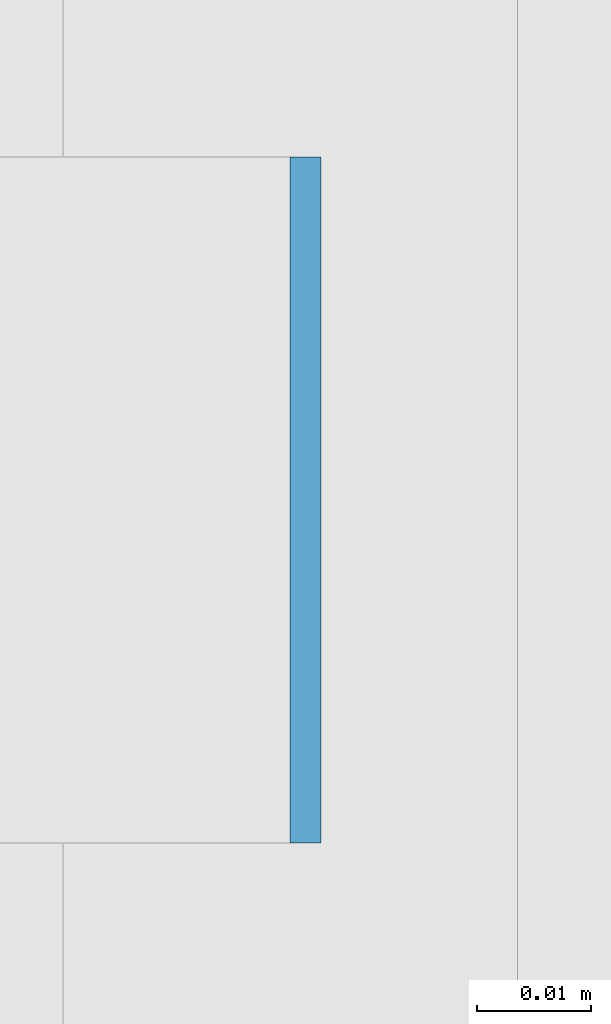
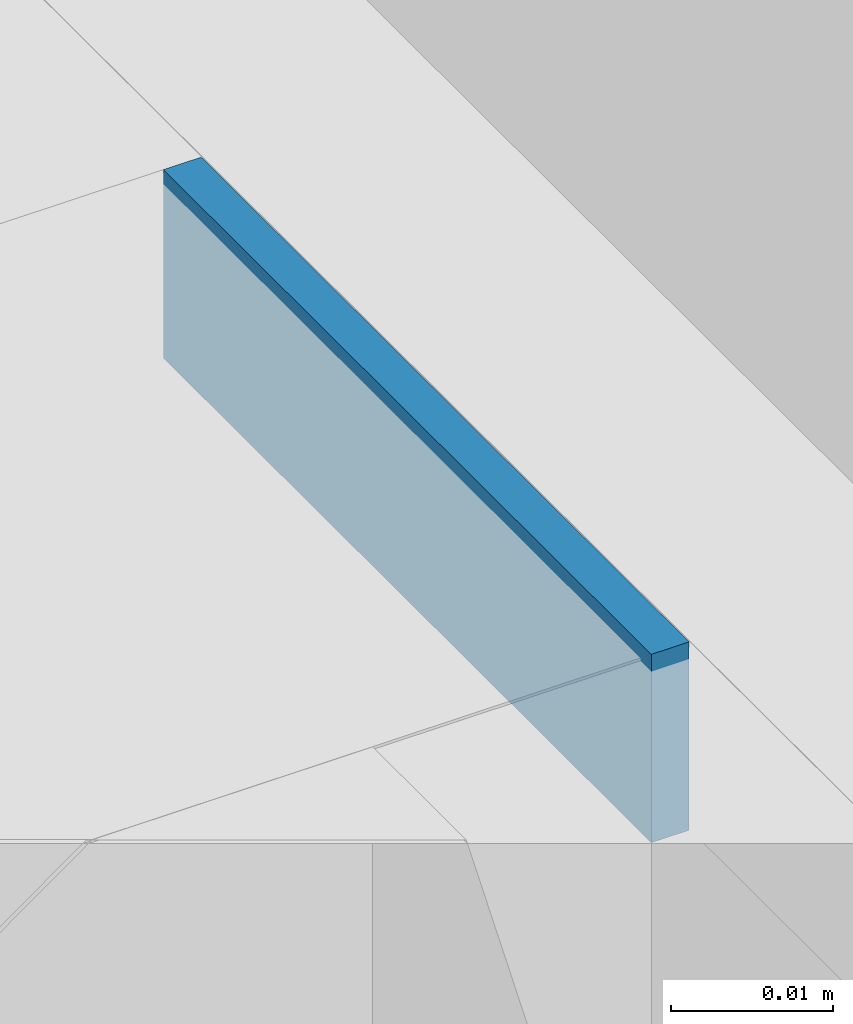
# One storey, part 303 of 646: 1 discrete accessory.
"""IFC4 building model written with IfcOpenShell, lengths in metres."""

import ifcopenshell
import ifcopenshell.guid

model = None  # the IFC model being written
_history = None  # IfcOwnerHistory: only IFC2X3 demands one
_inside = {}  # id of a spatial element -> (the spatial element, [elements in it])
_under = {}  # id of a project, library or spatial element -> (it, [spatial elements below it])
_declared = {}  # id of a project -> (the project, [libraries it declares])
_typed = {}  # id of a type object -> (the type object, [elements of that type])
_made_of = {}  # id of a material, layer set ... -> (it, [elements and type objects made of it])


def new_model(schema):
    """Start an empty IFC model of exactly this schema.

    Asked for "IFC4X3", IfcOpenShell would pick the latest addendum, in which some entities
    have other attributes; the version numbers below select the first issue.
    IFC2X3 requires an IfcOwnerHistory on every rooted entity: one is made here for all.
    """
    global model, _history
    if schema == "IFC4X3":
        model = ifcopenshell.file(schema_version=(4, 3, 0, 0))
    else:
        model = ifcopenshell.file(schema=schema)
    _inside.clear()
    _under.clear()
    _declared.clear()
    _typed.clear()
    _made_of.clear()
    _history = None
    if model.schema == "IFC2X3":
        org = make("IfcOrganization", Name="unknown")
        user = make(
            "IfcPersonAndOrganization",
            ThePerson=make("IfcPerson", FamilyName="unknown"),
            TheOrganization=org,
        )
        app = make(
            "IfcApplication",
            ApplicationDeveloper=org,
            Version="unknown",
            ApplicationFullName="unknown",
            ApplicationIdentifier="unknown",
        )
        _history = make(
            "IfcOwnerHistory",
            OwningUser=user,
            OwningApplication=app,
            ChangeAction="ADDED",
            CreationDate=0,
        )
    return model


def make(cls, **values):
    """One entity of the class cls with the attributes given. An attribute that is None is left unset."""
    return model.create_entity(
        cls, **{name: value for name, value in values.items() if value is not None}
    )


def rooted(cls, **values):
    """An entity with a GlobalId (a new one), such as an element, a storey or a relation."""
    return make(cls, GlobalId=ifcopenshell.guid.new(), OwnerHistory=_history, **values)


def si_unit(unit_type, name, prefix=None):
    """IfcSIUnit, for example si_unit("LENGTHUNIT", "METRE", prefix="MILLI")."""
    return make("IfcSIUnit", UnitType=unit_type, Prefix=prefix, Name=name)


def assignment(units):
    """IfcUnitAssignment: the units of a project."""
    return None if units is None else make("IfcUnitAssignment", Units=units)


def point(xyz):
    """IfcCartesianPoint."""
    return None if xyz is None else make("IfcCartesianPoint", Coordinates=xyz)


def direction(xyz):
    """IfcDirection."""
    return None if xyz is None else make("IfcDirection", DirectionRatios=xyz)


def frame(location, z_axis=None, x_axis=None):
    """IfcAxis2Placement3D, a coordinate frame: its origin and axes. An axis left out is left unset."""
    return make(
        "IfcAxis2Placement3D",
        Location=point(location),
        Axis=direction(z_axis),
        RefDirection=direction(x_axis),
    )


def frame_2d(location, x_axis=None):
    """IfcAxis2Placement2D, a coordinate frame in the plane: its origin and x axis."""
    return make(
        "IfcAxis2Placement2D", Location=point(location), RefDirection=direction(x_axis)
    )


def origin():
    """The frame at (0, 0, 0) with its axes left unset."""
    return frame((0.0, 0.0, 0.0))


def origin_2d():
    """The frame at (0, 0) in the plane with its x axis left unset."""
    return frame_2d((0.0, 0.0))


def place(relative_to, where):
    """IfcLocalPlacement: puts the frame where relative to a parent placement (None: the world)."""
    return make(
        "IfcLocalPlacement", PlacementRelTo=relative_to, RelativePlacement=where
    )


def context(
    kind, dimensions, precision=None, world=None, true_north=None, identifier=None
):
    """IfcGeometricRepresentationContext, for example the 3D "Model" context."""
    return make(
        "IfcGeometricRepresentationContext",
        ContextIdentifier=identifier,
        ContextType=kind,
        CoordinateSpaceDimension=dimensions,
        Precision=precision,
        WorldCoordinateSystem=world,
        TrueNorth=true_north,
    )


def subcontext(parent, identifier, kind, view, scale=None):
    """IfcGeometricRepresentationSubContext, for example "Body" below "Model"."""
    return make(
        "IfcGeometricRepresentationSubContext",
        ContextIdentifier=identifier,
        ContextType=kind,
        ParentContext=parent,
        TargetScale=scale,
        TargetView=view,
    )


def project(units=None, contexts=None):
    """IfcProject with its units and contexts."""
    return rooted(
        "IfcProject",
        Name="project",
        RepresentationContexts=contexts,
        UnitsInContext=assignment(units),
    )


def spatial(cls, under=None, at=None, **own):
    """A site, building, storey or space (cls), placed at a placement, below another one or the project."""
    s = rooted(cls, ObjectPlacement=at, **own)
    if under is not None:
        _under.setdefault(under.id(), (under, []))[1].append(s)
    return s


def profile(cls, at=None, kind="AREA", **sizes):
    """A parametric profile (cls). Its sizes go by their IFC names, for example OverallWidth=200.0."""
    return make(cls, ProfileType=kind, Position=at, **sizes)


def rectangle(**sizes):
    """IfcRectangleProfileDef."""
    return profile("IfcRectangleProfileDef", **sizes)


def extrude(swept, where, along, depth):
    """IfcExtrudedAreaSolid: the profile swept, set in the frame where, extruded along a direction by depth."""
    return make(
        "IfcExtrudedAreaSolid",
        SweptArea=swept,
        Position=where,
        ExtrudedDirection=direction(along),
        Depth=depth,
    )


def shape(context_of_items, identifier, shape_type, items):
    """IfcShapeRepresentation: the items that make up one representation, for example the "Body"."""
    return make(
        "IfcShapeRepresentation",
        ContextOfItems=context_of_items,
        RepresentationIdentifier=identifier,
        RepresentationType=shape_type,
        Items=items,
    )


def material(Name=None, Category=None):
    """IfcMaterial."""
    return make("IfcMaterial", Name=Name, Category=Category)


def made_of(thing, what):
    """Note that an element or type object is made of a material, layer set ...; save() writes the relation."""
    if what is not None:
        _made_of.setdefault(what.id(), (what, []))[1].append(thing)
    return thing


def type_object(cls, material=None, **own):
    """A type object (cls), such as IfcWallType, which elements share."""
    return made_of(rooted(cls, **own), material)


def element(
    cls,
    number,
    at=None,
    inside=None,
    cuts=None,
    type_object=None,
    material=None,
    context=None,
    identifier="Body",
    shape_type=None,
    held_by="IfcProductDefinitionShape",
    body=None,
    shapes=None,
    **own,
):
    """One element of the class cls, such as IfcWall. Its Tag is "e" and its number.

    at: its placement. inside: the storey or other place that contains it. cuts: it is an
    opening in that element (IfcRelVoidsElement). A single representation is given by context,
    identifier, shape_type and body (its items); several are given by shapes. held_by: the class
    of the entity that holds the representations. save() writes the other relations.
    """
    e = rooted(cls, Tag="e%d" % number, ObjectPlacement=at, **own)
    if body is not None:
        shapes = [shape(context, identifier, shape_type, body)]
    if shapes is not None:
        e.Representation = make(held_by, Representations=shapes)
    if inside is not None:
        _inside.setdefault(inside.id(), (inside, []))[1].append(e)
    if cuts is not None:
        rooted(
            "IfcRelVoidsElement", RelatingBuildingElement=cuts, RelatedOpeningElement=e
        )
    if type_object is not None:
        _typed.setdefault(type_object.id(), (type_object, []))[1].append(e)
    return made_of(e, material)


def aggregate(whole, parts):
    """IfcRelAggregates: a whole, such as a stair, and the parts it consists of."""
    return rooted("IfcRelAggregates", RelatingObject=whole, RelatedObjects=parts)


def save(model, path):
    """Write the relations noted so far, then the file.

    IfcRelAggregates (storeys below a building ...), IfcRelContainedInSpatialStructure (elements
    in a storey), IfcRelDefinesByType, IfcRelAssociatesMaterial and IfcRelDeclares: one each for
    every whole, place, type object, material and project.
    """
    for whole, parts in _under.values():
        aggregate(whole, parts)
    for where, things in _inside.values():
        rooted(
            "IfcRelContainedInSpatialStructure",
            RelatedElements=things,
            RelatingStructure=where,
        )
    for kind, things in _typed.values():
        rooted("IfcRelDefinesByType", RelatedObjects=things, RelatingType=kind)
    for what, things in _made_of.values():
        rooted("IfcRelAssociatesMaterial", RelatedObjects=things, RelatingMaterial=what)
    for by, libraries in _declared.values():
        rooted("IfcRelDeclares", RelatingContext=by, RelatedDefinitions=libraries)
    model.write(path)


model = new_model("IFC4")

# Units and contexts
model_context = context("Model", 3, precision=1e-05, world=origin(), true_north=direction((0.0, 1.0)))
body_context = subcontext(model_context, "Body", "Model", "MODEL_VIEW")
ifc_project = project(units=[si_unit("LENGTHUNIT", "METRE"), si_unit("AREAUNIT", "SQUARE_METRE"), si_unit("VOLUMEUNIT", "CUBIC_METRE"), si_unit("PLANEANGLEUNIT", "RADIAN"), si_unit("MASSUNIT", "GRAM", prefix="KILO")], contexts=[model_context])

# Site, building, storey
site_placement = place(None, origin())
site = spatial("IfcSite", under=ifc_project, at=site_placement, CompositionType="ELEMENT")
building_placement = place(site_placement, origin())
building = spatial("IfcBuilding", under=site, at=building_placement, Name="Silverbay Arena", CompositionType="ELEMENT")
storey_placement = place(building_placement, frame((0.0, 0.0, 33.5)))
storey = spatial("IfcBuildingStorey", under=building, at=storey_placement, Name="L05", CompositionType="ELEMENT", Elevation=33.5)

# Discrete accessory
ifc_material = material(Name="Steel S355", Category="steel")
discrete_accessory_type = type_object("IfcDiscreteAccessoryType", Name="Steel bracket plate", PredefinedType="BRACKET", material=ifc_material)
discrete_accessory_placement = place(storey_placement, frame((53.871337890625, 64.28564453125, 12.98583984375), z_axis=(0.0, 0.0, 1.0), x_axis=(1.0, 0.0, 0.0)))
element("IfcDiscreteAccessory", 1, at=discrete_accessory_placement, inside=storey, type_object=discrete_accessory_type, Name="Curtain wall packing plate", PredefinedType="BRACKET", context=body_context, shape_type="SweptSolid", body=[
    extrude(rectangle(XDim=0.002685546875, YDim=0.06005859375, at=origin_2d()), origin(), (0.0, 0.0, 1.0), 0.01416015625),
])

save(model, "model.ifc")
